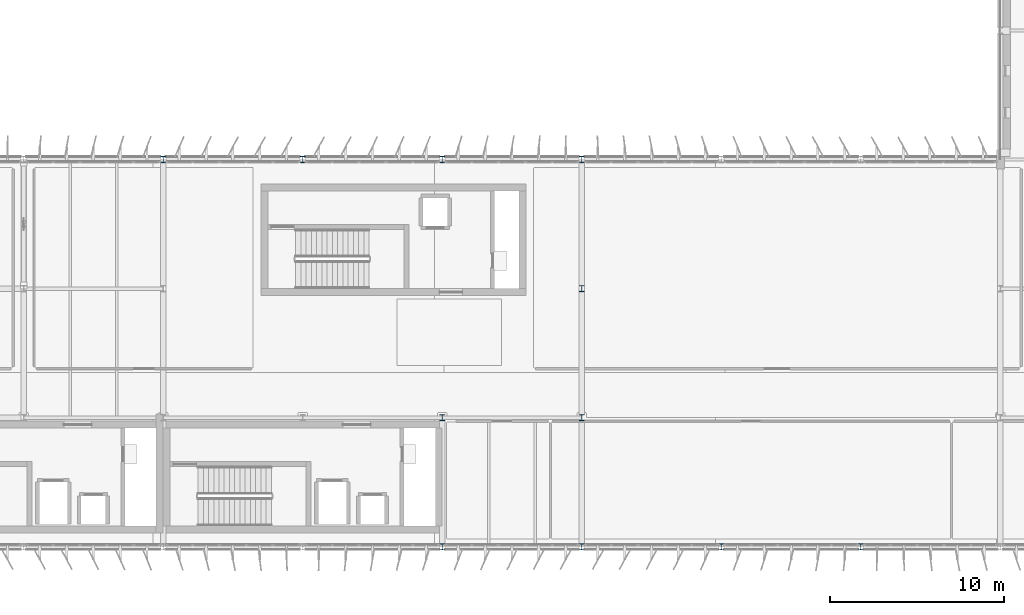
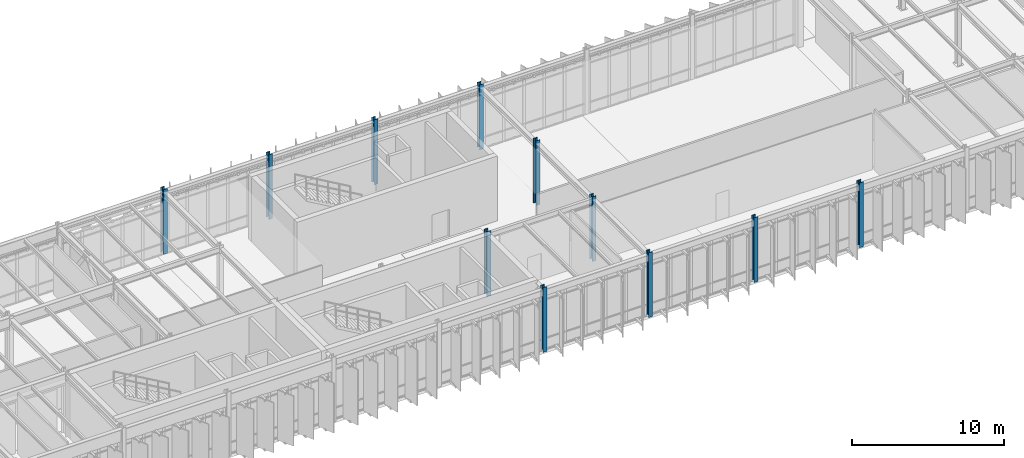
# One storey, part 2 of 48: 11 columns.
"""IFC4 building model written with IfcOpenShell, lengths in metres."""

from ifc_helpers import new_model, si_unit, direction, frame, origin, origin_2d, place, context, subcontext, project, spatial, i_section, extrude, material, material_profile, profile_set, type_object, element, save


model = new_model("IFC4")

# Units and contexts
model_context = context("Model", 3, precision=1e-05, world=origin(), true_north=direction((0.0, 1.0)))
body_context = subcontext(model_context, "Body", "Model", "MODEL_VIEW")
ifc_project = project(units=[si_unit("LENGTHUNIT", "METRE"), si_unit("AREAUNIT", "SQUARE_METRE"), si_unit("VOLUMEUNIT", "CUBIC_METRE"), si_unit("PLANEANGLEUNIT", "RADIAN"), si_unit("MASSUNIT", "GRAM", prefix="KILO")], contexts=[model_context])

# Site, building, storey
site_placement = place(None, origin())
site = spatial("IfcSite", under=ifc_project, at=site_placement, CompositionType="ELEMENT")
building_placement = place(site_placement, origin())
building = spatial("IfcBuilding", under=site, at=building_placement, Name="Valkorina Park Police Headquarters", CompositionType="ELEMENT")
storey_placement = place(building_placement, frame((0.0, 0.0, 18.10009765625)))
storey = spatial("IfcBuildingStorey", under=building, at=storey_placement, Name="L05", CompositionType="ELEMENT", Elevation=18.10009765625)

# Columns
ifc_material = material(Name="Steel S355", Category="steel")
ifc_material_profile_1 = material_profile(ifc_material, i_section(OverallWidth=0.300048828125, OverallDepth=0.360107421875, WebThickness=0.012451171875, FlangeThickness=0.0224609375, FilletRadius=0.027099609375, at=origin_2d()), Name="HEB 360")
ifc_profile_set_1 = profile_set([ifc_material_profile_1], Name="Steel S355")
column_type_1 = type_object("IfcColumnType", Name="COL-S355-HEB360-EXT", PredefinedType="COLUMN", material=ifc_profile_set_1)
for number, where, z_axis, x_axis, name in (
    (1, (32.800048828125, 59.199951171875, 0.0), (0.0, 0.0, 1.0), (1.0, 0.0, 0.0), "L05 Column 0975"),
    (2, (40.800048828125, 59.199951171875, 0.0), (0.0, 0.0, 1.0), (1.0, 0.0, 0.0), "L05 Column 0978"),
    (3, (48.800048828125, 37.0, 0.0), (0.0, 0.0, 1.0), (1.0, 0.0, 0.0), "L05 Column 0979"),
    (4, (48.800048828125, 59.199951171875, 0.0), (0.0, 0.0, 1.0), (1.0, 0.0, 0.0), "L05 Column 0981"),
    (5, (56.800048828125, 37.0, 0.0), (0.0, 0.0, 1.0), (1.0, 0.0, 0.0), "L05 Column 0982"),
    (6, (56.800048828125, 59.199951171875, 0.0), (0.0, 0.0, 1.0), (1.0, 0.0, 0.0), "L05 Column 0985"),
    (7, (64.800048828125, 37.0, 0.0), (0.0, 0.0, 1.0), (1.0, 0.0, 0.0), "L05 Column 0986"),
    (8, (72.800048828125, 37.0, 0.0), (0.0, 0.0, 1.0), (1.0, 0.0, 0.0), "L05 Column 0988"),
):
    element("IfcColumn", number, at=place(storey_placement, frame(where, z_axis=z_axis, x_axis=x_axis)), inside=storey, type_object=column_type_1, Name=name, PredefinedType="COLUMN", context=body_context, shape_type="SweptSolid", body=[
        extrude(i_section(OverallWidth=0.300048828125, OverallDepth=0.360107421875, WebThickness=0.012451171875, FlangeThickness=0.0224609375, FilletRadius=0.027099609375, at=origin_2d()), origin(), (0.0, 0.0, 1.0), 5.199951171875),
    ])
ifc_material_profile_2 = material_profile(ifc_material, i_section(OverallWidth=0.300048828125, OverallDepth=0.360107421875, WebThickness=0.012451171875, FlangeThickness=0.0224609375, FilletRadius=0.027099609375, at=origin_2d()), Name="HEB 360")
ifc_profile_set_2 = profile_set([ifc_material_profile_2], Name="Steel S355")
column_type_2 = type_object("IfcColumnType", Name="COL-S355-HEB360-INT", PredefinedType="COLUMN", material=ifc_profile_set_2)
for number, where, z_axis, x_axis, name in (
    (9, (48.800048828125, 44.39990234375, 0.0), (0.0, 0.0, 1.0), (1.0, 0.0, 0.0), "L05 Column 0980"),
    (10, (56.800048828125, 44.39990234375, 0.0), (0.0, 0.0, 1.0), (1.0, 0.0, 0.0), "L05 Column 0983"),
    (11, (56.800048828125, 51.800048828125, 0.0), (0.0, 0.0, 1.0), (1.0, 0.0, 0.0), "L05 Column 0984"),
):
    element("IfcColumn", number, at=place(storey_placement, frame(where, z_axis=z_axis, x_axis=x_axis)), inside=storey, type_object=column_type_2, Name=name, PredefinedType="COLUMN", context=body_context, shape_type="SweptSolid", body=[
        extrude(i_section(OverallWidth=0.300048828125, OverallDepth=0.360107421875, WebThickness=0.012451171875, FlangeThickness=0.0224609375, FilletRadius=0.027099609375, at=origin_2d()), origin(), (0.0, 0.0, 1.0), 5.199951171875),
    ])

save(model, "model.ifc")
